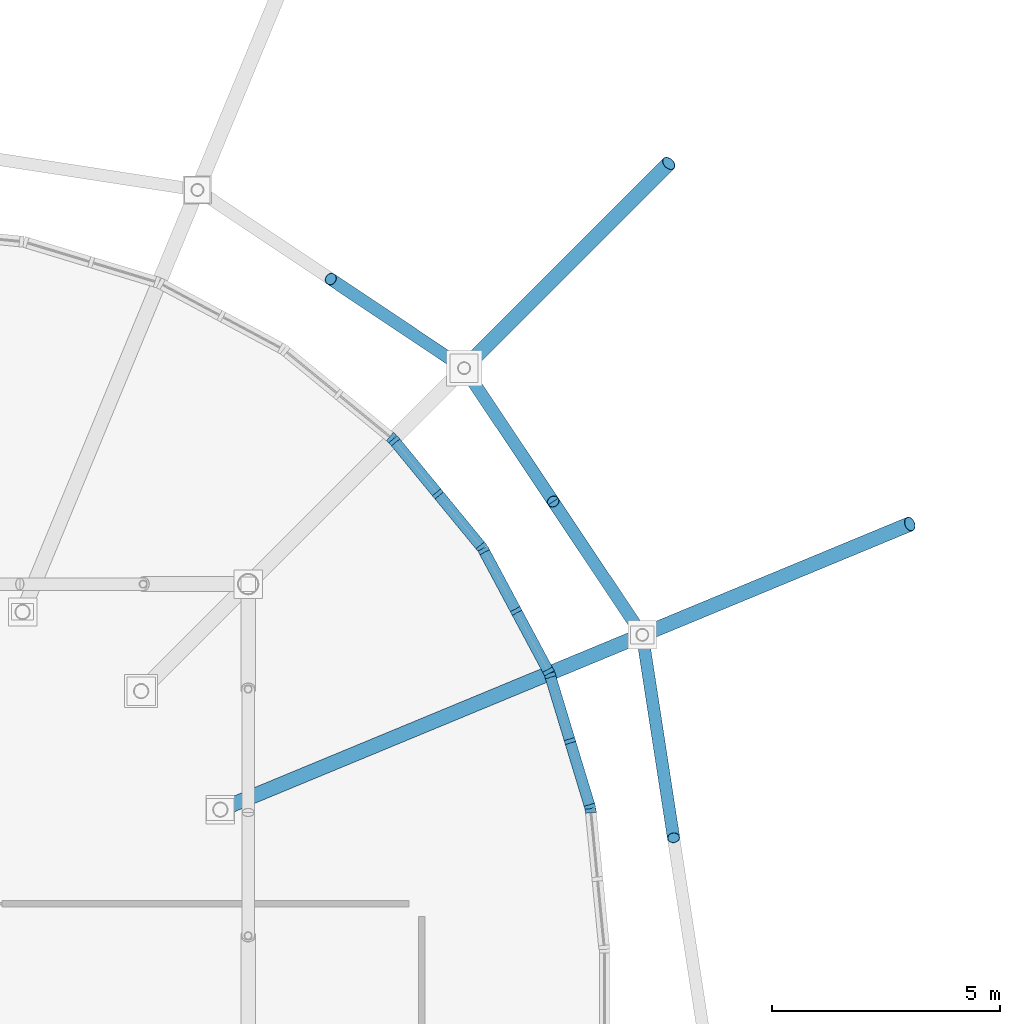
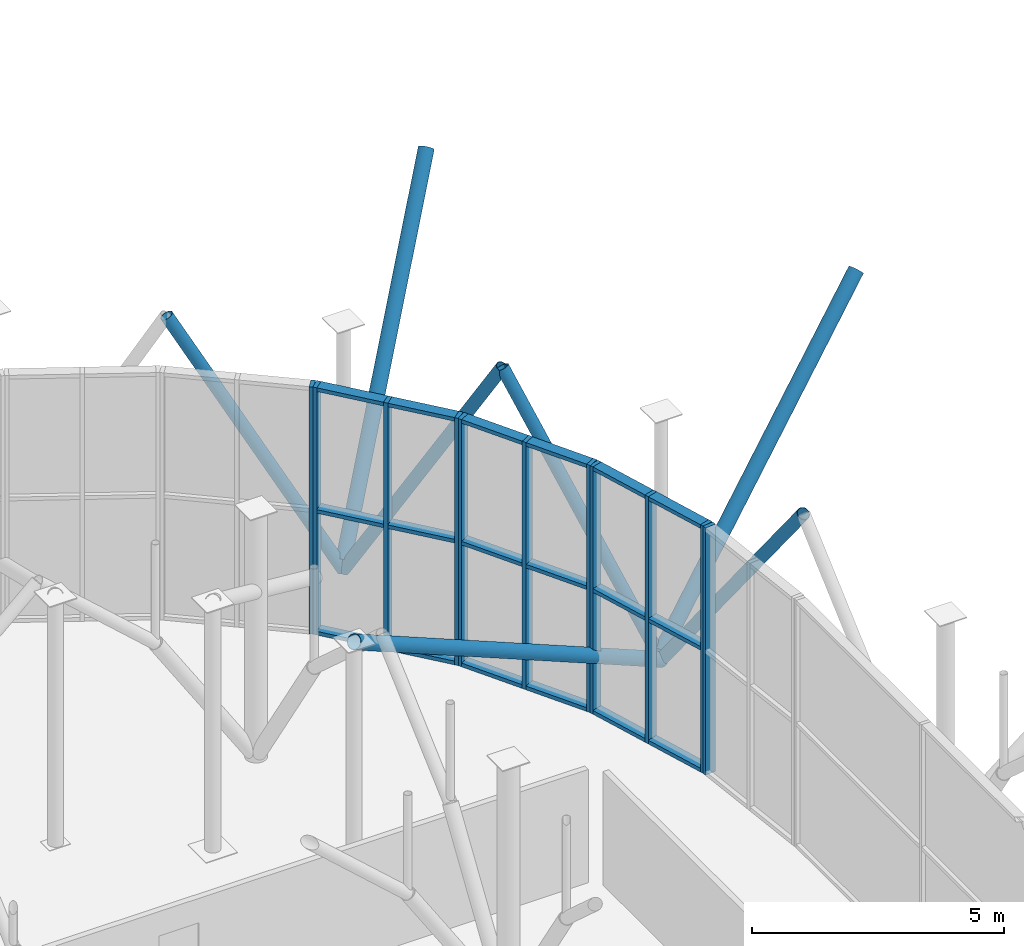
# One storey, part 80 of 109: 36 members, 5 elements without a shape of their own.
"""IFC4 building model written with IfcOpenShell, lengths in metres."""

from ifc_helpers import new_model, si_unit, derived_unit, direction, frame, origin, origin_2d_with_axis, place, context, subcontext, project, spatial, rectangle, hollow_circle, extrude, material, material_profile, profile_set, type_object, element, aggregate, save


model = new_model("IFC4")

# Units and contexts
model_context = context("Model", 3, precision=1e-05, world=origin(), true_north=direction((0.0, 1.0)))
body_context = subcontext(model_context, "Body", "Model", "MODEL_VIEW")
ifc_project = project(units=[si_unit("LENGTHUNIT", "METRE"), si_unit("AREAUNIT", "SQUARE_METRE"), si_unit("VOLUMEUNIT", "CUBIC_METRE"), si_unit("PLANEANGLEUNIT", "RADIAN"), si_unit("MASSUNIT", "GRAM", prefix="KILO"), derived_unit("THERMALTRANSMITTANCEUNIT", [(si_unit("POWERUNIT", "WATT"), 1), (si_unit("LENGTHUNIT", "METRE"), -2), (si_unit("THERMODYNAMICTEMPERATUREUNIT", "KELVIN"), -1)])], contexts=[model_context])

# Site, building, storey
site_placement = place(None, origin())
site = spatial("IfcSite", under=ifc_project, at=site_placement, CompositionType="ELEMENT")
building_placement = place(site_placement, origin())
building = spatial("IfcBuilding", under=site, at=building_placement, Name="Cinnabar Yard Market Hall", CompositionType="ELEMENT")
storey_placement = place(building_placement, frame((0.0, 0.0, 8.39990234375)))
storey = spatial("IfcBuildingStorey", under=building, at=storey_placement, Name="L02", CompositionType="ELEMENT", Elevation=8.39990234375)

# Curtain wall, member
ifc_material_1 = material(Name="Anodised bronze aluminium curved-chord facade", Category="aluminium")
curtain_wall_type = type_object("IfcCurtainWallType", Name="CW-CWC031x60", PredefinedType="NOTDEFINED", material=ifc_material_1)
curtain_wall_1_placement = place(storey_placement, origin())
curtain_wall_1 = element("IfcCurtainWall", 1, at=curtain_wall_1_placement, inside=storey, type_object=curtain_wall_type, Name="Corner NE Chord 1 L02", PredefinedType="NOTDEFINED")
ifc_material_2 = material(Name="Anodised bronze aluminium", Category="aluminium")
ifc_material_profile_1 = material_profile(ifc_material_2, rectangle(XDim=0.239990234375, YDim=0.090087890625, at=origin_2d_with_axis()), Name="MUL-CWC")
ifc_profile_set_1 = profile_set([ifc_material_profile_1], Name="Anodised bronze aluminium")
member_type_1 = type_object("IfcMemberType", Name="CWM-CWC", PredefinedType="MULLION", material=ifc_profile_set_1)
member_1_placement = place(storey_placement, frame((163.500732421875, 59.03759765625, 0.0), z_axis=(0.0, 0.0, 1.0), x_axis=(-0.995184408637, -0.098020369342, 0.0)))
member_1 = element("IfcMember", 2, at=member_1_placement, type_object=member_type_1, Name="CWC031x60 mullion 3", PredefinedType="MULLION", context=body_context, shape_type="SweptSolid", body=[
    extrude(rectangle(XDim=0.239990234375, YDim=0.090087890625, at=origin_2d_with_axis()), origin(), (0.0, 0.0, 1.0), 5.97998046875),
])
aggregate(curtain_wall_1, [member_1])

# Curtain wall, members
curtain_wall_2_placement = place(storey_placement, origin())
curtain_wall_2 = element("IfcCurtainWall", 3, at=curtain_wall_2_placement, inside=storey, type_object=curtain_wall_type, Name="Corner NE Chord 2 L02", PredefinedType="NOTDEFINED")
member_2_placement = place(storey_placement, frame((163.4833984375, 59.12548828125, 0.0), z_axis=(0.0, 0.0, 1.0), x_axis=(-0.956942090856, -0.290278891325, 0.0)))
member_2 = element("IfcMember", 4, at=member_2_placement, type_object=member_type_1, Name="CWC031x60 mullion 1", PredefinedType="MULLION", context=body_context, shape_type="SweptSolid", body=[
    extrude(rectangle(XDim=0.239990234375, YDim=0.090087890625, at=origin_2d_with_axis()), origin(), (0.0, 0.0, 1.0), 5.97998046875),
])
member_3_placement = place(storey_placement, frame((163.046875, 60.564453125, 0.0), z_axis=(0.0, 0.0, 1.0), x_axis=(-0.956942090856, -0.290278891325, 0.0)))
member_3 = element("IfcMember", 5, at=member_3_placement, type_object=member_type_1, Name="CWC031x60 mullion 2", PredefinedType="MULLION", context=body_context, shape_type="SweptSolid", body=[
    extrude(rectangle(XDim=0.239990234375, YDim=0.090087890625, at=origin_2d_with_axis()), origin(), (0.0, 0.0, 1.0), 5.97998046875),
])
member_4_placement = place(storey_placement, frame((162.6103515625, 62.00341796875, 0.0), z_axis=(0.0, 0.0, 1.0), x_axis=(-0.956942090856, -0.290278891325, 0.0)))
member_4 = element("IfcMember", 6, at=member_4_placement, type_object=member_type_1, Name="CWC031x60 mullion 3", PredefinedType="MULLION", context=body_context, shape_type="SweptSolid", body=[
    extrude(rectangle(XDim=0.239990234375, YDim=0.090087890625, at=origin_2d_with_axis()), origin(), (0.0, 0.0, 1.0), 5.97998046875),
])

curtain_wall_3_placement = place(storey_placement, origin())
curtain_wall_3 = element("IfcCurtainWall", 7, at=curtain_wall_3_placement, inside=storey, type_object=curtain_wall_type, Name="Corner NE Chord 3 L02", PredefinedType="NOTDEFINED")
member_5_placement = place(storey_placement, frame((162.576171875, 62.086181640625, 0.0), z_axis=(0.0, 0.0, 1.0), x_axis=(-0.881917320707, -0.471404114786, 0.0)))
member_5 = element("IfcMember", 8, at=member_5_placement, type_object=member_type_1, Name="CWC031x60 mullion 1", PredefinedType="MULLION", context=body_context, shape_type="SweptSolid", body=[
    extrude(rectangle(XDim=0.239990234375, YDim=0.090087890625, at=origin_2d_with_axis()), origin(), (0.0, 0.0, 1.0), 5.97998046875),
])
member_6_placement = place(storey_placement, frame((161.8671875, 63.412109375, 0.0), z_axis=(0.0, 0.0, 1.0), x_axis=(-0.881917320707, -0.471404114786, 0.0)))
member_6 = element("IfcMember", 9, at=member_6_placement, type_object=member_type_1, Name="CWC031x60 mullion 2", PredefinedType="MULLION", context=body_context, shape_type="SweptSolid", body=[
    extrude(rectangle(XDim=0.239990234375, YDim=0.090087890625, at=origin_2d_with_axis()), origin(), (0.0, 0.0, 1.0), 5.97998046875),
])
member_7_placement = place(storey_placement, frame((161.158447265625, 64.73828125, 0.0), z_axis=(0.0, 0.0, 1.0), x_axis=(-0.881917320707, -0.471404114786, 0.0)))
member_7 = element("IfcMember", 10, at=member_7_placement, type_object=member_type_1, Name="CWC031x60 mullion 3", PredefinedType="MULLION", context=body_context, shape_type="SweptSolid", body=[
    extrude(rectangle(XDim=0.239990234375, YDim=0.090087890625, at=origin_2d_with_axis()), origin(), (0.0, 0.0, 1.0), 5.97998046875),
])

curtain_wall_4_placement = place(storey_placement, origin())
curtain_wall_4 = element("IfcCurtainWall", 11, at=curtain_wall_4_placement, inside=storey, type_object=curtain_wall_type, Name="Corner NE Chord 4 L02", PredefinedType="NOTDEFINED")
member_8_placement = place(storey_placement, frame((161.108642578125, 64.812744140625, 0.0), z_axis=(0.0, 0.0, 1.0), x_axis=(-0.773018564222, -0.634383400924, 0.0)))
member_8 = element("IfcMember", 12, at=member_8_placement, type_object=member_type_1, Name="CWC031x60 mullion 1", PredefinedType="MULLION", context=body_context, shape_type="SweptSolid", body=[
    extrude(rectangle(XDim=0.239990234375, YDim=0.090087890625, at=origin_2d_with_axis()), origin(), (0.0, 0.0, 1.0), 5.97998046875),
])
member_9_placement = place(storey_placement, frame((160.15478515625, 65.97509765625, 0.0), z_axis=(0.0, 0.0, 1.0), x_axis=(-0.773018564222, -0.634383400924, 0.0)))
member_9 = element("IfcMember", 13, at=member_9_placement, type_object=member_type_1, Name="CWC031x60 mullion 2", PredefinedType="MULLION", context=body_context, shape_type="SweptSolid", body=[
    extrude(rectangle(XDim=0.239990234375, YDim=0.090087890625, at=origin_2d_with_axis()), origin(), (0.0, 0.0, 1.0), 5.97998046875),
])
member_10_placement = place(storey_placement, frame((159.200927734375, 67.137451171875, 0.0), z_axis=(0.0, 0.0, 1.0), x_axis=(-0.773018564222, -0.634383400924, 0.0)))
member_10 = element("IfcMember", 14, at=member_10_placement, type_object=member_type_1, Name="CWC031x60 mullion 3", PredefinedType="MULLION", context=body_context, shape_type="SweptSolid", body=[
    extrude(rectangle(XDim=0.239990234375, YDim=0.090087890625, at=origin_2d_with_axis()), origin(), (0.0, 0.0, 1.0), 5.97998046875),
])

# Curtain wall, member
curtain_wall_5_placement = place(storey_placement, origin())
curtain_wall_5 = element("IfcCurtainWall", 15, at=curtain_wall_5_placement, inside=storey, type_object=curtain_wall_type, Name="Corner NE Chord 5 L02", PredefinedType="NOTDEFINED")
member_11_placement = place(storey_placement, frame((159.137451171875, 67.200927734375, 0.0), z_axis=(0.0, 0.0, 1.0), x_axis=(-0.634383400924, -0.773018564222, 0.0)))
member_11 = element("IfcMember", 16, at=member_11_placement, type_object=member_type_1, Name="CWC031x60 mullion 1", PredefinedType="MULLION", context=body_context, shape_type="SweptSolid", body=[
    extrude(rectangle(XDim=0.239990234375, YDim=0.090087890625, at=origin_2d_with_axis()), origin(), (0.0, 0.0, 1.0), 5.97998046875),
])
aggregate(curtain_wall_5, [member_11])

# Member
ifc_material_profile_2 = material_profile(ifc_material_2, rectangle(XDim=0.239990234375, YDim=0.090087890625, at=origin_2d_with_axis()), Name="TRN-CWC")
ifc_profile_set_2 = profile_set([ifc_material_profile_2], Name="Anodised bronze aluminium")
member_type_2 = type_object("IfcMemberType", Name="CWT-CWC", PredefinedType="USERDEFINED", material=ifc_profile_set_2)
member_12_placement = place(storey_placement, frame((163.47021484375, 59.16845703125, 0.045166015625), z_axis=(-0.290309352341, 0.956932850279, 0.0), x_axis=(-0.956932850279, -0.290309352341, 0.0)))
member_12 = element("IfcMember", 17, at=member_12_placement, type_object=member_type_2, Name="CWC031x60 transom 1.1", ObjectType="TRANSOM", PredefinedType="USERDEFINED", context=body_context, shape_type="SweptSolid", body=[
    extrude(rectangle(XDim=0.239990234375, YDim=0.090087890625, at=origin_2d_with_axis()), origin(), (0.0, 0.0, 1.0), 1.41357421875),
])

member_13_placement = place(storey_placement, frame((163.47021484375, 59.16845703125, 2.989990234375), z_axis=(-0.290309352341, 0.956932850279, 0.0), x_axis=(-0.956932850279, -0.290309352341, 0.0)))
member_13 = element("IfcMember", 18, at=member_13_placement, type_object=member_type_2, Name="CWC031x60 transom 1.2", ObjectType="TRANSOM", PredefinedType="USERDEFINED", context=body_context, shape_type="SweptSolid", body=[
    extrude(rectangle(XDim=0.239990234375, YDim=0.090087890625, at=origin_2d_with_axis()), origin(), (0.0, 0.0, 1.0), 1.41357421875),
])

member_14_placement = place(storey_placement, frame((163.47021484375, 59.16845703125, 5.93505859375), z_axis=(-0.290309352341, 0.956932850279, 0.0), x_axis=(-0.956932850279, -0.290309352341, 0.0)))
member_14 = element("IfcMember", 19, at=member_14_placement, type_object=member_type_2, Name="CWC031x60 transom 1.3", ObjectType="TRANSOM", PredefinedType="USERDEFINED", context=body_context, shape_type="SweptSolid", body=[
    extrude(rectangle(XDim=0.239990234375, YDim=0.090087890625, at=origin_2d_with_axis()), origin(), (0.0, 0.0, 1.0), 1.41357421875),
])

member_15_placement = place(storey_placement, frame((163.03369140625, 60.607421875, 0.045166015625), z_axis=(-0.290151195166, 0.956980816915, 0.0), x_axis=(-0.956980816915, -0.290151195166, 0.0)))
member_15 = element("IfcMember", 20, at=member_15_placement, type_object=member_type_2, Name="CWC031x60 transom 2.1", ObjectType="TRANSOM", PredefinedType="USERDEFINED", context=body_context, shape_type="SweptSolid", body=[
    extrude(rectangle(XDim=0.239990234375, YDim=0.090087890625, at=origin_2d_with_axis()), origin(), (0.0, 0.0, 1.0), 1.41357421875),
])

member_16_placement = place(storey_placement, frame((163.03369140625, 60.607421875, 2.989990234375), z_axis=(-0.290151195166, 0.956980816915, 0.0), x_axis=(-0.956980816915, -0.290151195166, 0.0)))
member_16 = element("IfcMember", 21, at=member_16_placement, type_object=member_type_2, Name="CWC031x60 transom 2.2", ObjectType="TRANSOM", PredefinedType="USERDEFINED", context=body_context, shape_type="SweptSolid", body=[
    extrude(rectangle(XDim=0.239990234375, YDim=0.090087890625, at=origin_2d_with_axis()), origin(), (0.0, 0.0, 1.0), 1.41357421875),
])

member_17_placement = place(storey_placement, frame((163.03369140625, 60.607421875, 5.93505859375), z_axis=(-0.290151195166, 0.956980816915, 0.0), x_axis=(-0.956980816915, -0.290151195166, 0.0)))
member_17 = element("IfcMember", 22, at=member_17_placement, type_object=member_type_2, Name="CWC031x60 transom 2.3", ObjectType="TRANSOM", PredefinedType="USERDEFINED", context=body_context, shape_type="SweptSolid", body=[
    extrude(rectangle(XDim=0.239990234375, YDim=0.090087890625, at=origin_2d_with_axis()), origin(), (0.0, 0.0, 1.0), 1.41357421875),
])

aggregate(curtain_wall_2, [member_2, member_3, member_4, member_12, member_13, member_14, member_15, member_16, member_17])

member_18_placement = place(storey_placement, frame((162.554931640625, 62.125732421875, 0.045166015625), z_axis=(-0.471430533224, 0.881903198965, 0.0), x_axis=(-0.881903198965, -0.471430533224, 0.0)))
member_18 = element("IfcMember", 23, at=member_18_placement, type_object=member_type_2, Name="CWC031x60 transom 1.1", ObjectType="TRANSOM", PredefinedType="USERDEFINED", context=body_context, shape_type="SweptSolid", body=[
    extrude(rectangle(XDim=0.239990234375, YDim=0.090087890625, at=origin_2d_with_axis()), origin(), (0.0, 0.0, 1.0), 1.413818359375),
])

member_19_placement = place(storey_placement, frame((162.554931640625, 62.125732421875, 2.989990234375), z_axis=(-0.471430533224, 0.881903198965, 0.0), x_axis=(-0.881903198965, -0.471430533224, 0.0)))
member_19 = element("IfcMember", 24, at=member_19_placement, type_object=member_type_2, Name="CWC031x60 transom 1.2", ObjectType="TRANSOM", PredefinedType="USERDEFINED", context=body_context, shape_type="SweptSolid", body=[
    extrude(rectangle(XDim=0.239990234375, YDim=0.090087890625, at=origin_2d_with_axis()), origin(), (0.0, 0.0, 1.0), 1.413818359375),
])

member_20_placement = place(storey_placement, frame((162.554931640625, 62.125732421875, 5.93505859375), z_axis=(-0.471430533224, 0.881903198965, 0.0), x_axis=(-0.881903198965, -0.471430533224, 0.0)))
member_20 = element("IfcMember", 25, at=member_20_placement, type_object=member_type_2, Name="CWC031x60 transom 1.3", ObjectType="TRANSOM", PredefinedType="USERDEFINED", context=body_context, shape_type="SweptSolid", body=[
    extrude(rectangle(XDim=0.239990234375, YDim=0.090087890625, at=origin_2d_with_axis()), origin(), (0.0, 0.0, 1.0), 1.413818359375),
])

member_21_placement = place(storey_placement, frame((161.845947265625, 63.451904296875, 0.045166015625), z_axis=(-0.471296210365, 0.881974989496, 0.0), x_axis=(-0.881974989496, -0.471296210365, 0.0)))
member_21 = element("IfcMember", 26, at=member_21_placement, type_object=member_type_2, Name="CWC031x60 transom 2.1", ObjectType="TRANSOM", PredefinedType="USERDEFINED", context=body_context, shape_type="SweptSolid", body=[
    extrude(rectangle(XDim=0.239990234375, YDim=0.090087890625, at=origin_2d_with_axis()), origin(), (0.0, 0.0, 1.0), 1.41357421875),
])

member_22_placement = place(storey_placement, frame((161.845947265625, 63.451904296875, 2.989990234375), z_axis=(-0.471296210365, 0.881974989496, 0.0), x_axis=(-0.881974989496, -0.471296210365, 0.0)))
member_22 = element("IfcMember", 27, at=member_22_placement, type_object=member_type_2, Name="CWC031x60 transom 2.2", ObjectType="TRANSOM", PredefinedType="USERDEFINED", context=body_context, shape_type="SweptSolid", body=[
    extrude(rectangle(XDim=0.239990234375, YDim=0.090087890625, at=origin_2d_with_axis()), origin(), (0.0, 0.0, 1.0), 1.41357421875),
])

member_23_placement = place(storey_placement, frame((161.845947265625, 63.451904296875, 5.93505859375), z_axis=(-0.471296210365, 0.881974989496, 0.0), x_axis=(-0.881974989496, -0.471296210365, 0.0)))
member_23 = element("IfcMember", 28, at=member_23_placement, type_object=member_type_2, Name="CWC031x60 transom 2.3", ObjectType="TRANSOM", PredefinedType="USERDEFINED", context=body_context, shape_type="SweptSolid", body=[
    extrude(rectangle(XDim=0.239990234375, YDim=0.090087890625, at=origin_2d_with_axis()), origin(), (0.0, 0.0, 1.0), 1.41357421875),
])

aggregate(curtain_wall_3, [member_5, member_6, member_7, member_18, member_19, member_20, member_21, member_22, member_23])

member_24_placement = place(storey_placement, frame((161.080078125, 64.84765625, 0.045166015625), z_axis=(-0.634356309919, 0.773040795861, 0.0), x_axis=(-0.773040795861, -0.634356309919, 0.0)))
member_24 = element("IfcMember", 29, at=member_24_placement, type_object=member_type_2, Name="CWC031x60 transom 1.1", ObjectType="TRANSOM", PredefinedType="USERDEFINED", context=body_context, shape_type="SweptSolid", body=[
    extrude(rectangle(XDim=0.239990234375, YDim=0.090087890625, at=origin_2d_with_axis()), origin(), (0.0, 0.0, 1.0), 1.41357421875),
])

member_25_placement = place(storey_placement, frame((161.080078125, 64.84765625, 2.989990234375), z_axis=(-0.634356309919, 0.773040795861, 0.0), x_axis=(-0.773040795861, -0.634356309919, 0.0)))
member_25 = element("IfcMember", 30, at=member_25_placement, type_object=member_type_2, Name="CWC031x60 transom 1.2", ObjectType="TRANSOM", PredefinedType="USERDEFINED", context=body_context, shape_type="SweptSolid", body=[
    extrude(rectangle(XDim=0.239990234375, YDim=0.090087890625, at=origin_2d_with_axis()), origin(), (0.0, 0.0, 1.0), 1.41357421875),
])

member_26_placement = place(storey_placement, frame((161.080078125, 64.84765625, 5.93505859375), z_axis=(-0.634356309919, 0.773040795861, 0.0), x_axis=(-0.773040795861, -0.634356309919, 0.0)))
member_26 = element("IfcMember", 31, at=member_26_placement, type_object=member_type_2, Name="CWC031x60 transom 1.3", ObjectType="TRANSOM", PredefinedType="USERDEFINED", context=body_context, shape_type="SweptSolid", body=[
    extrude(rectangle(XDim=0.239990234375, YDim=0.090087890625, at=origin_2d_with_axis()), origin(), (0.0, 0.0, 1.0), 1.41357421875),
])

member_27_placement = place(storey_placement, frame((160.126220703125, 66.010009765625, 0.045166015625), z_axis=(-0.634356309919, 0.773040795861, 0.0), x_axis=(-0.773040795861, -0.634356309919, 0.0)))
member_27 = element("IfcMember", 32, at=member_27_placement, type_object=member_type_2, Name="CWC031x60 transom 2.1", ObjectType="TRANSOM", PredefinedType="USERDEFINED", context=body_context, shape_type="SweptSolid", body=[
    extrude(rectangle(XDim=0.239990234375, YDim=0.090087890625, at=origin_2d_with_axis()), origin(), (0.0, 0.0, 1.0), 1.41357421875),
])

member_28_placement = place(storey_placement, frame((160.126220703125, 66.010009765625, 2.989990234375), z_axis=(-0.634356309919, 0.773040795861, 0.0), x_axis=(-0.773040795861, -0.634356309919, 0.0)))
member_28 = element("IfcMember", 33, at=member_28_placement, type_object=member_type_2, Name="CWC031x60 transom 2.2", ObjectType="TRANSOM", PredefinedType="USERDEFINED", context=body_context, shape_type="SweptSolid", body=[
    extrude(rectangle(XDim=0.239990234375, YDim=0.090087890625, at=origin_2d_with_axis()), origin(), (0.0, 0.0, 1.0), 1.41357421875),
])

member_29_placement = place(storey_placement, frame((160.126220703125, 66.010009765625, 5.93505859375), z_axis=(-0.634356309919, 0.773040795861, 0.0), x_axis=(-0.773040795861, -0.634356309919, 0.0)))
member_29 = element("IfcMember", 34, at=member_29_placement, type_object=member_type_2, Name="CWC031x60 transom 2.3", ObjectType="TRANSOM", PredefinedType="USERDEFINED", context=body_context, shape_type="SweptSolid", body=[
    extrude(rectangle(XDim=0.239990234375, YDim=0.090087890625, at=origin_2d_with_axis()), origin(), (0.0, 0.0, 1.0), 1.41357421875),
])

aggregate(curtain_wall_4, [member_8, member_9, member_10, member_24, member_25, member_26, member_27, member_28, member_29])

# Members
ifc_material_3 = material(Name="Spotted-gum glulam-clad steel Grade 350 (350 MPa)", Category="steel")
ifc_material_profile_3 = material_profile(ifc_material_3, hollow_circle(Radius=0.136474609375, WallThickness=0.00927734375, at=origin_2d_with_axis()), Name="273.1x9.3CHS")
ifc_profile_set_3 = profile_set([ifc_material_profile_3], Name="Spotted-gum glulam-clad steel Grade 350 (350 MPa)")
member_type_3 = type_object("IfcMemberType", Name="MB-AR01E", PredefinedType="USERDEFINED", material=ifc_profile_set_3)
member_30_placement = place(storey_placement, frame((164.6298828125, 62.88818359375, 0.0), z_axis=(0.09156162834, -0.593975880497, 0.799255354441), x_axis=(0.988326460719, 0.152350933845, 0.0)))
element("IfcMember", 35, at=member_30_placement, inside=storey, type_object=member_type_3, Name="Corner Pointed Arch NE 1B", ObjectType="ARCH RIB", PredefinedType="USERDEFINED", context=body_context, shape_type="SweptSolid", body=[
    extrude(hollow_circle(Radius=0.136474609375, WallThickness=0.00927734375, at=origin_2d_with_axis()), origin(), (0.0, 0.0, 1.0), 7.48193359375),
])
for number, where, z_axis, x_axis, name in (
    (36, (164.6298828125, 62.88818359375, 0.0), (-0.281322020966, 0.42105010271, 0.862307793962), (-0.831482988253, -0.555550213974, 0.0), "Corner Pointed Arch NE 2A"),
    (37, (160.727783203125, 68.727783203125, 0.0), (0.281358609512, -0.421016968363, 0.862312034709), (0.831429412037, 0.555630392257, 0.0), "Corner Pointed Arch NE 2B"),
    (38, (160.727783203125, 68.727783203125, 0.0), (-0.421016968363, 0.281358609512, 0.862312034709), (-0.555630392257, -0.831429412037, 0.0), "Corner Pointed Arch NE 3A"),
):
    element("IfcMember", number, at=place(storey_placement, frame(where, z_axis=z_axis, x_axis=x_axis)), inside=storey, type_object=member_type_3, Name=name, ObjectType="ARCH RIB", PredefinedType="USERDEFINED", context=body_context, shape_type="SweptSolid", body=[
        extrude(hollow_circle(Radius=0.136474609375, WallThickness=0.00927734375, at=origin_2d_with_axis()), origin(), (0.0, 0.0, 1.0), 6.934814453125),
    ])
ifc_material_profile_4 = material_profile(ifc_material_3, hollow_circle(Radius=0.161865234375, WallThickness=0.009521484375, at=origin_2d_with_axis()), Name="323.9x9.5CHS")
ifc_profile_set_4 = profile_set([ifc_material_profile_4], Name="Spotted-gum glulam-clad steel Grade 350 (350 MPa)")
member_type_4 = type_object("IfcMemberType", Name="MB-ST01E", PredefinedType="STRUT", material=ifc_profile_set_4)
member_31_placement = place(storey_placement, frame((164.6298828125, 62.88818359375, 0.0), z_axis=(-0.792922692544, -0.328425302123, 0.513235252661), x_axis=(0.382669478028, -0.923885312463, 0.0)))
element("IfcMember", 39, at=member_31_placement, inside=storey, type_object=member_type_4, Name="Corner Radial Inward Arm NE-2", PredefinedType="STRUT", context=body_context, shape_type="SweptSolid", body=[
    extrude(hollow_circle(Radius=0.161865234375, WallThickness=0.009521484375, at=origin_2d_with_axis()), origin(), (0.0, 0.0, 1.0), 11.651611328125),
])
for number, where, z_axis, x_axis, name in (
    (40, (164.6298828125, 62.88818359375, 0.2001953125), (0.68704037604, 0.284586831322, 0.668570009145), (-0.382689618566, 0.923876970079, 0.0), "Corner Chhajja Bracket Arm NE-2"),
    (41, (160.727783203125, 68.727783203125, 0.2001953125), (0.525842817771, 0.525842817771, 0.668564628138), (-0.707106781187, 0.707106781187, 0.0), "Corner Chhajja Bracket Arm NE-4"),
):
    element("IfcMember", number, at=place(storey_placement, frame(where, z_axis=z_axis, x_axis=x_axis)), inside=storey, type_object=member_type_4, Name=name, PredefinedType="STRUT", context=body_context, shape_type="SweptSolid", body=[
        extrude(hollow_circle(Radius=0.161865234375, WallThickness=0.009521484375, at=origin_2d_with_axis()), origin(), (0.0, 0.0, 1.0), 8.525634765625),
    ])

save(model, "model.ifc")
